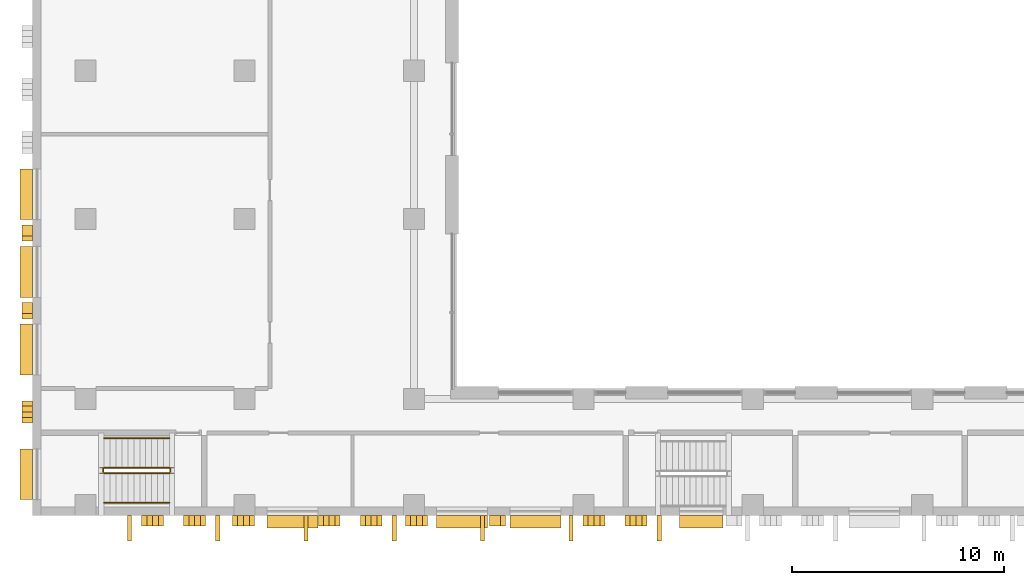
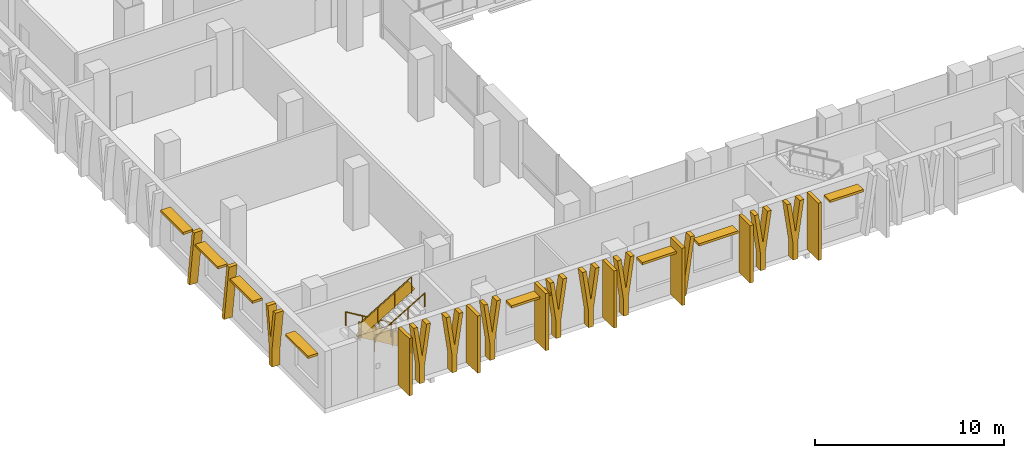
# One storey, part 18 of 26: 27 shading devices, 6 railings.
"""IFC4 building model written with IfcOpenShell, lengths in metres."""

from ifc_helpers import new_model, si_unit, direction, frame, frame_2d, origin, origin_2d, place, context, subcontext, project, spatial, polyline, rectangle, circle, outline, extrude, material, layer, layer_set, type_object, element, save


model = new_model("IFC4")

# Units and contexts
model_context = context("Model", 3, precision=1e-05, world=origin(), true_north=direction((0.0, 1.0)))
body_context = subcontext(model_context, "Body", "Model", "MODEL_VIEW")
ifc_project = project(units=[si_unit("LENGTHUNIT", "METRE"), si_unit("AREAUNIT", "SQUARE_METRE"), si_unit("VOLUMEUNIT", "CUBIC_METRE"), si_unit("PLANEANGLEUNIT", "RADIAN"), si_unit("MASSUNIT", "GRAM", prefix="KILO")], contexts=[model_context])

# Site, building, storey
site_placement = place(None, origin())
site = spatial("IfcSite", under=ifc_project, at=site_placement, CompositionType="ELEMENT")
building_placement = place(site_placement, origin())
building = spatial("IfcBuilding", under=site, at=building_placement, Name="Vidyagriha Tower", CompositionType="ELEMENT")
storey_placement = place(building_placement, frame((0.0, 0.0, 6.0)))
storey = spatial("IfcBuildingStorey", under=building, at=storey_placement, Name="L01", CompositionType="ELEMENT", Elevation=6.0)

# Shading devices
ifc_material_1 = material(Name="Precast concrete C40/50 with brick facing", Category="concrete")
ifc_layer_1 = layer(ifc_material_1, 0.14990234375)
ifc_layer_set_1 = layer_set([ifc_layer_1], Name="Precast concrete C40/50 with brick facing")
shading_device_type_1 = type_object("IfcShadingDeviceType", Name="Brick chhajja window hood", PredefinedType="AWNING", material=ifc_layer_set_1)
for number, where, z_axis, x_axis, name in (
    (1, (-40.300048828125, -34.833251953125, 3.0), (0.0, 0.0, 1.0), (0.0, -1.0, 0.0), "Window hood L01 R05.15"),
    (2, (-40.300048828125, -38.5, 3.0), (0.0, 0.0, 1.0), (0.0, -1.0, 0.0), "Window hood L01 R05.16"),
    (3, (-40.300048828125, -42.166748046875, 3.0), (0.0, 0.0, 1.0), (0.0, -1.0, 0.0), "Window hood L01 R05.17"),
    (4, (-40.300048828125, -48.050048828125, 3.0), (0.0, 0.0, 1.0), (0.0, -1.0, 0.0), "Window hood L01 R05.19"),
):
    element("IfcShadingDevice", number, at=place(storey_placement, frame(where, z_axis=z_axis, x_axis=x_axis)), inside=storey, type_object=shading_device_type_1, Name=name, PredefinedType="AWNING", context=body_context, shape_type="SweptSolid", body=[
        extrude(rectangle(XDim=2.39990234375, YDim=0.60009765625, at=origin_2d()), origin(), (0.0, 0.0, 1.0), 0.14990234375),
    ])
for number, where, name in (
    (5, (-27.735107421875, -50.300048828125, 3.0), "Window hood L01 R06.7"),
    (6, (-19.735107421875, -50.300048828125, 3.0), "Window hood L01 R06.11"),
    (7, (-16.264892578125, -50.300048828125, 3.0), "Window hood L01 R06.12"),
):
    element("IfcShadingDevice", number, at=place(storey_placement, frame(where)), inside=storey, type_object=shading_device_type_1, Name=name, PredefinedType="AWNING", context=body_context, shape_type="SweptSolid", body=[
        extrude(rectangle(XDim=2.39990234375, YDim=0.60009765625, at=origin_2d()), origin(), (0.0, 0.0, 1.0), 0.14990234375),
    ])
shading_device_1_placement = place(storey_placement, frame((-8.43994140625, -50.300048828125, 3.0)))
element("IfcShadingDevice", 8, at=shading_device_1_placement, inside=storey, type_object=shading_device_type_1, Name="Window hood L01 R06.16", PredefinedType="AWNING", context=body_context, shape_type="SweptSolid", body=[
    extrude(rectangle(XDim=2.050048828125, YDim=0.60009765625, at=origin_2d()), origin(), (0.0, 0.0, 1.0), 0.14990234375),
])
ifc_material_2 = material(Name="Precast concrete C40/50 with buff brick facing", Category="concrete")
ifc_layer_2 = layer(ifc_material_2, 0.300048828125)
ifc_layer_set_2 = layer_set([ifc_layer_2], Name="Precast concrete C40/50 with buff brick facing")
shading_device_type_2 = type_object("IfcShadingDeviceType", Name="Brick-faced podium blade forking 8 degrees", PredefinedType="USERDEFINED", material=ifc_layer_set_2)
shading_device_2_placement = place(storey_placement, frame((-40.25, -44.593017578125, 0.0), z_axis=(0.0, 0.0, 1.0), x_axis=(0.0, -1.0, 0.0)))
element("IfcShadingDevice", 9, at=shading_device_2_placement, inside=storey, type_object=shading_device_type_2, Name="Podium blade L01 R05.6511", ObjectType="BLADE FIN", PredefinedType="USERDEFINED", context=body_context, shape_type="SweptSolid", body=[
    extrude(outline(polyline([(0.665283203125, 0.0), (0.665283203125, 1.10009765625), (1.03076171875, 3.699951171875), (0.790771484375, 3.699951171875), (0.515380859375, 1.740478515625), (0.239990234375, 3.699951171875), (0.0, 3.699951171875), (0.365478515625, 1.10009765625), (0.365478515625, 0.0), (0.665283203125, 0.0)])), frame((0.0, 0.25, 0.0), z_axis=(0.0, -1.0, 0.0), x_axis=(1.0, 0.0, 0.0)), (0.0, 0.0, 1.0), 0.5),
])
for number, where, name in (
    (10, (-34.85498046875, -50.25, 0.0), "Podium blade L01 R06.526"),
    (11, (-32.87060546875, -50.25, 0.0), "Podium blade L01 R06.724"),
    (12, (-30.564453125, -50.25, 0.0), "Podium blade L01 R06.955"),
    (13, (-26.51806640625, -50.25, 0.0), "Podium blade L01 R06.1360"),
    (14, (-24.53369140625, -50.25, 0.0), "Podium blade L01 R06.1558"),
    (15, (-22.39599609375, -50.25, 0.0), "Podium blade L01 R06.1772"),
    (16, (-14.0126953125, -50.25, 0.0), "Podium blade L01 R06.2610"),
    (17, (-12.028564453125, -50.25, 0.0), "Podium blade L01 R06.2809"),
):
    element("IfcShadingDevice", number, at=place(storey_placement, frame(where)), inside=storey, type_object=shading_device_type_2, Name=name, ObjectType="BLADE FIN", PredefinedType="USERDEFINED", context=body_context, shape_type="SweptSolid", body=[
        extrude(outline(polyline([(0.665283203125, 0.0), (0.665283203125, 1.10009765625), (1.03076171875, 3.699951171875), (0.790771484375, 3.699951171875), (0.515380859375, 1.740478515625), (0.239990234375, 3.699951171875), (0.0, 3.699951171875), (0.365478515625, 1.10009765625), (0.365478515625, 0.0), (0.665283203125, 0.0)])), frame((0.0, 0.25, 0.0), z_axis=(0.0, -1.0, 0.0), x_axis=(1.0, 0.0, 0.0)), (0.0, 0.0, 1.0), 0.5),
    ])
ifc_material_3 = material(Name="Precast concrete C40/50 with buff brick facing", Category="concrete")
ifc_layer_3 = layer(ifc_material_3, 0.239990234375)
ifc_layer_set_3 = layer_set([ifc_layer_3], Name="Precast concrete C40/50 with buff brick facing")
shading_device_type_3 = type_object("IfcShadingDeviceType", Name="Brick-faced podium blade leaning 8 degrees", PredefinedType="USERDEFINED", material=ifc_layer_set_3)
for number, where, z_axis, x_axis, name in (
    (18, (-40.25, -36.28662109375, 0.0), (0.0, 0.0, 1.0), (0.0, -1.0, 0.0), "Podium blade L01 R05.5667"),
    (19, (-40.25, -39.953369140625, 0.0), (0.0, 0.0, 1.0), (0.0, -1.0, 0.0), "Podium blade L01 R05.6033"),
):
    element("IfcShadingDevice", number, at=place(storey_placement, frame(where, z_axis=z_axis, x_axis=x_axis)), inside=storey, type_object=shading_device_type_3, Name=name, ObjectType="BLADE FIN", PredefinedType="USERDEFINED", context=body_context, shape_type="SweptSolid", body=[
        extrude(outline(polyline([(0.0, 0.0), (0.239990234375, 0.0), (0.760009765625, 3.699951171875), (0.52001953125, 3.699951171875), (0.0, 0.0)])), frame((0.0, 0.25, 0.0), z_axis=(0.0, -1.0, 0.0), x_axis=(1.0, 0.0, 0.0)), (0.0, 0.0, 1.0), 0.5),
    ])
shading_device_3_placement = place(storey_placement, frame((-18.44140625, -50.25, 0.0)))
element("IfcShadingDevice", 20, at=shading_device_3_placement, inside=storey, type_object=shading_device_type_3, Name="Podium blade L01 R06.2154", ObjectType="BLADE FIN", PredefinedType="USERDEFINED", context=body_context, shape_type="SweptSolid", body=[
    extrude(outline(polyline([(0.0, 0.0), (0.239990234375, 0.0), (0.760009765625, 3.699951171875), (0.52001953125, 3.699951171875), (0.0, 0.0)])), frame((0.0, 0.25, 0.0), z_axis=(0.0, -1.0, 0.0), x_axis=(1.0, 0.0, 0.0)), (0.0, 0.0, 1.0), 0.5),
])
ifc_material_4 = material(Name="Precast concrete C40/50 with brick facing", Category="concrete")
ifc_layer_4 = layer(ifc_material_4, 0.199951171875)
ifc_layer_set_4 = layer_set([ifc_layer_4], Name="Precast concrete C40/50 with brick facing")
shading_device_type_4 = type_object("IfcShadingDeviceType", Name="Brick-faced solar fin 1200", PredefinedType="USERDEFINED", material=ifc_layer_set_4)
for number, where, z_axis, x_axis, name in (
    (21, (-35.431640625, -50.0, 0.0), (0.0, 0.0, 1.0), (0.0, -1.0, 0.0), "Solar fin L01 R06.1"),
    (22, (-31.26318359375, -50.0, 0.0), (0.0, 0.0, 1.0), (0.0, -1.0, 0.0), "Solar fin L01 R06.2"),
    (23, (-27.0947265625, -50.0, 0.0), (0.0, 0.0, 1.0), (0.0, -1.0, 0.0), "Solar fin L01 R06.3"),
    (24, (-22.92626953125, -50.0, 0.0), (0.0, 0.0, 1.0), (0.0, -1.0, 0.0), "Solar fin L01 R06.4"),
    (25, (-18.7578125, -50.0, 0.0), (0.0, 0.0, 1.0), (0.0, -1.0, 0.0), "Solar fin L01 R06.5"),
    (26, (-14.589599609375, -50.0, 0.0), (0.0, 0.0, 1.0), (0.0, -1.0, 0.0), "Solar fin L01 R06.6"),
    (27, (-10.421142578125, -50.0, 0.0), (0.0, 0.0, 1.0), (0.0, -1.0, 0.0), "Solar fin L01 R06.7"),
):
    element("IfcShadingDevice", number, at=place(storey_placement, frame(where, z_axis=z_axis, x_axis=x_axis)), inside=storey, type_object=shading_device_type_4, Name=name, ObjectType="SOLAR FIN", PredefinedType="USERDEFINED", context=body_context, shape_type="SweptSolid", body=[
        extrude(rectangle(XDim=1.199951171875, YDim=0.199951171875, at=frame_2d((0.60009765625, 0.0))), origin(), (0.0, 0.0, 1.0), 3.699951171875),
    ])

# Railings
ifc_material_5 = material(Name="Powder coated ASTM A500 Grade C steel balustrade", Category="steel")
railing_type_1 = type_object("IfcRailingType", Name="Podium Stair Guard 1100", PredefinedType="GUARDRAIL", material=ifc_material_5)
railing_1_placement = place(storey_placement, frame((-33.544921875, -47.75, 0.166748046875)))
element("IfcRailing", 28, at=railing_1_placement, inside=storey, type_object=railing_type_1, Name="L01 PS1 stair guard 1", PredefinedType="GUARDRAIL", context=body_context, shape_type="SweptSolid", body=[
    extrude(circle(Radius=0.02392578125, at=origin_2d()), frame((0.0, 0.0, 1.076171875), z_axis=(-0.859308565015, 0.0, 0.511457515432), x_axis=(0.0, -1.0, 0.0)), (0.0, 0.0, 1.0), 3.58447265625),
    extrude(circle(Radius=0.02099609375, at=origin_2d()), origin(), (0.0, 0.0, 1.0), 1.052001953125),
    extrude(circle(Radius=0.02099609375, at=origin_2d()), frame((-1.026611328125, 0.0, 0.611083984375)), (0.0, 0.0, 1.0), 1.052001953125),
    extrude(circle(Radius=0.02099609375, at=origin_2d()), frame((-2.053466796875, 0.0, 1.22216796875)), (0.0, 0.0, 1.0), 1.052001953125),
    extrude(circle(Radius=0.02099609375, at=origin_2d()), frame((-3.080078125, 0.0, 1.833251953125)), (0.0, 0.0, 1.0), 1.052001953125),
    extrude(rectangle(XDim=0.010009765625, YDim=0.775146484375, at=origin_2d()), frame((0.0, 0.0, 0.551025390625), z_axis=(-0.859308565015, 0.0, 0.511457515432), x_axis=(0.0, -1.0, 0.0)), (0.0, 0.0, 1.0), 3.58447265625),
])
railing_2_placement = place(storey_placement, frame((-36.675048828125, -47.800048828125, 2.0)))
element("IfcRailing", 29, at=railing_2_placement, inside=storey, type_object=railing_type_1, Name="L01 PS1 stair guard 2", PredefinedType="GUARDRAIL", context=body_context, shape_type="SweptSolid", body=[
    extrude(circle(Radius=0.02392578125, at=origin_2d()), frame((0.0, 0.0, 1.076171875), z_axis=(0.0, -1.0, 0.0), x_axis=(1.0, 0.0, 0.0)), (0.0, 0.0, 1.0), 0.14990234375),
    extrude(circle(Radius=0.02099609375, at=origin_2d()), origin(), (0.0, 0.0, 1.0), 1.052001953125),
    extrude(circle(Radius=0.02099609375, at=origin_2d()), frame((0.0, -0.14990234375, 0.0)), (0.0, 0.0, 1.0), 1.052001953125),
    extrude(rectangle(XDim=0.010009765625, YDim=0.902099609375, at=origin_2d()), frame((0.0, 0.0, 0.551025390625), z_axis=(0.0, -1.0, 0.0), x_axis=(1.0, 0.0, 0.0)), (0.0, 0.0, 1.0), 0.14990234375),
])
railing_3_placement = place(storey_placement, frame((-36.625, -48.0, 2.166748046875)))
element("IfcRailing", 30, at=railing_3_placement, inside=storey, type_object=railing_type_1, Name="L01 PS1 stair guard 3", PredefinedType="GUARDRAIL", context=body_context, shape_type="SweptSolid", body=[
    extrude(circle(Radius=0.02392578125, at=origin_2d()), frame((0.0, 0.0, 1.076171875), z_axis=(0.859308565015, 0.0, 0.511457515432), x_axis=(0.0, 1.0, 0.0)), (0.0, 0.0, 1.0), 3.58447265625),
    extrude(circle(Radius=0.02099609375, at=origin_2d()), origin(), (0.0, 0.0, 1.0), 1.052001953125),
    extrude(circle(Radius=0.02099609375, at=origin_2d()), frame((1.026611328125, 0.0, 0.611083984375)), (0.0, 0.0, 1.0), 1.052001953125),
    extrude(circle(Radius=0.02099609375, at=origin_2d()), frame((2.053466796875, 0.0, 1.22216796875)), (0.0, 0.0, 1.0), 1.052001953125),
    extrude(circle(Radius=0.02099609375, at=origin_2d()), frame((3.080078125, 0.0, 1.833251953125)), (0.0, 0.0, 1.0), 1.052001953125),
    extrude(rectangle(XDim=0.010009765625, YDim=0.775146484375, at=origin_2d()), frame((0.0, 0.0, 0.551025390625), z_axis=(0.859308565015, 0.0, 0.511457515432), x_axis=(0.0, 1.0, 0.0)), (0.0, 0.0, 1.0), 3.58447265625),
])
railing_4_placement = place(storey_placement, frame((-33.4951171875, -47.800048828125, 0.0)))
element("IfcRailing", 31, at=railing_4_placement, inside=storey, type_object=railing_type_1, Name="L01 PS1 stair guard 4", PredefinedType="GUARDRAIL", context=body_context, shape_type="SweptSolid", body=[
    extrude(circle(Radius=0.02392578125, at=origin_2d()), frame((0.0, 0.0, 1.076171875), z_axis=(0.0, -1.0, 0.0), x_axis=(1.0, 0.0, 0.0)), (0.0, 0.0, 1.0), 0.14990234375),
    extrude(circle(Radius=0.02099609375, at=origin_2d()), origin(), (0.0, 0.0, 1.0), 1.052001953125),
    extrude(circle(Radius=0.02099609375, at=origin_2d()), frame((0.0, -0.14990234375, 0.0)), (0.0, 0.0, 1.0), 1.052001953125),
    extrude(rectangle(XDim=0.010009765625, YDim=0.902099609375, at=origin_2d()), frame((0.0, 0.0, 0.551025390625), z_axis=(0.0, -1.0, 0.0), x_axis=(1.0, 0.0, 0.0)), (0.0, 0.0, 1.0), 0.14990234375),
])
ifc_material_6 = material(Name="Powder coated ASTM A500 Grade C steel handrail", Category="steel")
railing_type_2 = type_object("IfcRailingType", Name="Podium Stair Handrail 900", PredefinedType="HANDRAIL", material=ifc_material_6)
railing_5_placement = place(storey_placement, frame((-33.544921875, -46.35009765625, 0.166748046875)))
element("IfcRailing", 32, at=railing_5_placement, inside=storey, type_object=railing_type_2, Name="L01 PS1 stair handrail 1", PredefinedType="HANDRAIL", context=body_context, shape_type="SweptSolid", body=[
    extrude(circle(Radius=0.02392578125, at=origin_2d()), frame((0.0, 0.0, 0.8759765625), z_axis=(-0.859308565015, 0.0, 0.511457515432), x_axis=(0.0, -1.0, 0.0)), (0.0, 0.0, 1.0), 3.58447265625),
    extrude(circle(Radius=0.02099609375, at=origin_2d()), origin(), (0.0, 0.0, 1.0), 0.851806640625),
    extrude(circle(Radius=0.02099609375, at=origin_2d()), frame((-1.026611328125, 0.0, 0.611083984375)), (0.0, 0.0, 1.0), 0.851806640625),
    extrude(circle(Radius=0.02099609375, at=origin_2d()), frame((-2.053466796875, 0.0, 1.22216796875)), (0.0, 0.0, 1.0), 0.851806640625),
    extrude(circle(Radius=0.02099609375, at=origin_2d()), frame((-3.080078125, 0.0, 1.833251953125)), (0.0, 0.0, 1.0), 0.851806640625),
])
railing_6_placement = place(storey_placement, frame((-36.625, -49.39990234375, 2.166748046875)))
element("IfcRailing", 33, at=railing_6_placement, inside=storey, type_object=railing_type_2, Name="L01 PS1 stair handrail 2", PredefinedType="HANDRAIL", context=body_context, shape_type="SweptSolid", body=[
    extrude(circle(Radius=0.02392578125, at=origin_2d()), frame((0.0, 0.0, 0.8759765625), z_axis=(0.859308565015, 0.0, 0.511457515432), x_axis=(0.0, 1.0, 0.0)), (0.0, 0.0, 1.0), 3.58447265625),
    extrude(circle(Radius=0.02099609375, at=origin_2d()), origin(), (0.0, 0.0, 1.0), 0.851806640625),
    extrude(circle(Radius=0.02099609375, at=origin_2d()), frame((1.026611328125, 0.0, 0.611083984375)), (0.0, 0.0, 1.0), 0.851806640625),
    extrude(circle(Radius=0.02099609375, at=origin_2d()), frame((2.053466796875, 0.0, 1.22216796875)), (0.0, 0.0, 1.0), 0.851806640625),
    extrude(circle(Radius=0.02099609375, at=origin_2d()), frame((3.080078125, 0.0, 1.833251953125)), (0.0, 0.0, 1.0), 0.851806640625),
])

save(model, "model.ifc")
